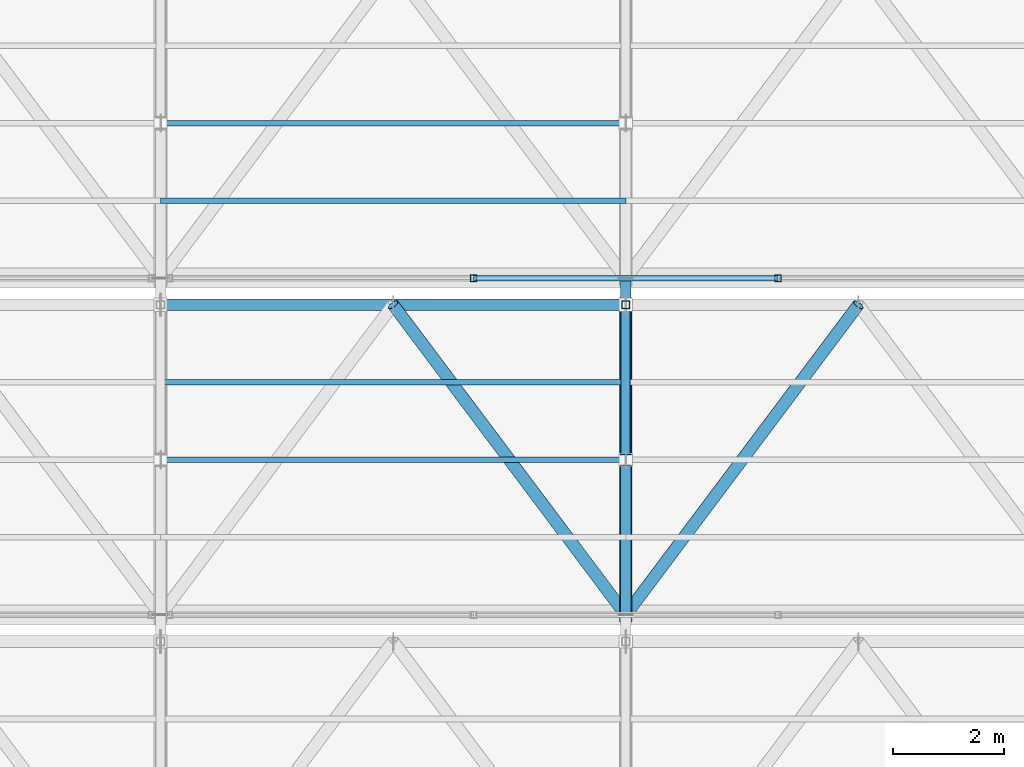
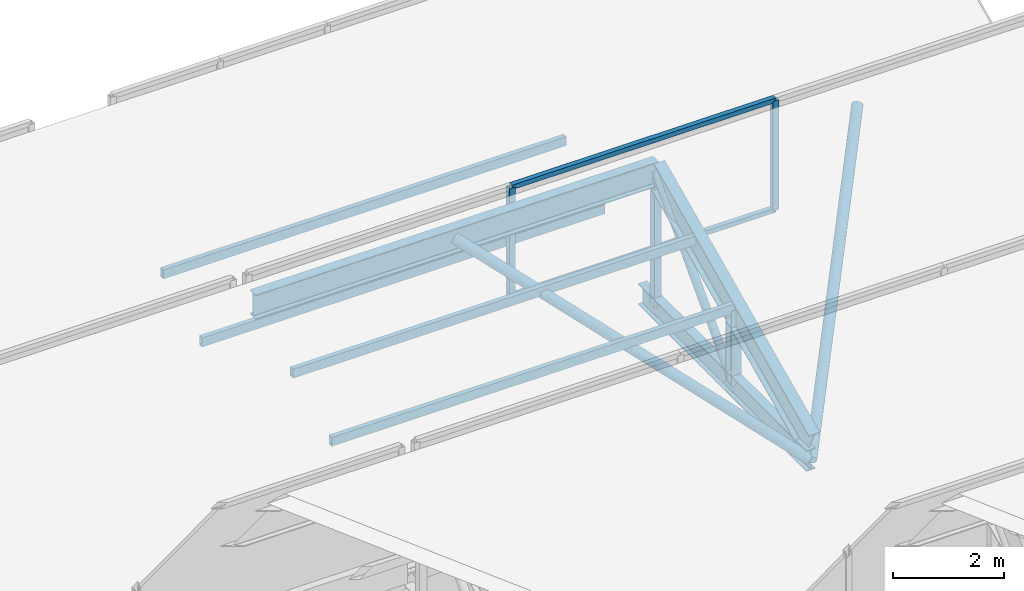
# One storey, part 127 of 217: 16 members, 1 element without a shape of its own.
"""IFC4 building model written with IfcOpenShell, lengths in metres."""

from ifc_helpers import new_model, si_unit, direction, frame, origin, origin_2d, place, context, subcontext, project, spatial, hollow_rectangle, hollow_circle, i_section, extrude, material, material_profile, profile_set, type_object, element, aggregate, save


model = new_model("IFC4")

# Units and contexts
model_context = context("Model", 3, precision=1e-05, world=origin(), true_north=direction((0.0, 1.0)))
body_context = subcontext(model_context, "Body", "Model", "MODEL_VIEW")
ifc_project = project(units=[si_unit("LENGTHUNIT", "METRE"), si_unit("AREAUNIT", "SQUARE_METRE"), si_unit("VOLUMEUNIT", "CUBIC_METRE"), si_unit("PLANEANGLEUNIT", "RADIAN"), si_unit("MASSUNIT", "GRAM", prefix="KILO")], contexts=[model_context])

# Site, building, storey
site_placement = place(None, origin())
site = spatial("IfcSite", under=ifc_project, at=site_placement, CompositionType="ELEMENT")
building_placement = place(site_placement, origin())
building = spatial("IfcBuilding", under=site, at=building_placement, Name="Zuvorla Pavilion Media Centre", CompositionType="ELEMENT")
storey_placement = place(building_placement, frame((0.0, 0.0, 9.60009765625)))
storey = spatial("IfcBuildingStorey", under=building, at=storey_placement, Name="L02", CompositionType="ELEMENT", Elevation=9.60009765625)

# Curtain wall, members
ifc_material_1 = material(Name="Unitised anodised aluminium and solar glass curtain wall", Category="aluminium")
curtain_wall_type = type_object("IfcCurtainWallType", Name="CW-SYS-88", PredefinedType="USERDEFINED", material=ifc_material_1)
curtain_wall_placement = place(storey_placement, origin())
curtain_wall = element("IfcCurtainWall", 1, at=curtain_wall_placement, inside=storey, type_object=curtain_wall_type, Name="L02 curtain wall CW88 215", ObjectType="CURTAIN WALL", PredefinedType="USERDEFINED")
ifc_material_2 = material(Name="Anodised aluminium 6063-T6", Category="aluminium")
ifc_material_profile_1 = material_profile(ifc_material_2, hollow_rectangle(XDim=0.1201171875, YDim=0.1201171875, WallThickness=0.0048828125, at=origin_2d()), Name="ALU MULL 120x120")
ifc_profile_set_1 = profile_set([ifc_material_profile_1], Name="Anodised aluminium 6063-T6")
member_type_1 = type_object("IfcMemberType", Name="CW-MULL-120", PredefinedType="MULLION", material=ifc_profile_set_1)
member_1_placement = place(storey_placement, frame((122.853271484375, 113.919921875, 0.0), z_axis=(0.0, 0.0, 1.0), x_axis=(1.0, 0.0, 0.0)))
member_1 = element("IfcMember", 2, at=member_1_placement, type_object=member_type_1, Name="CW88 mullion 2", PredefinedType="MULLION", context=body_context, shape_type="SweptSolid", body=[
    extrude(hollow_rectangle(XDim=0.1201171875, YDim=0.1201171875, WallThickness=0.0048828125, at=origin_2d()), origin(), (0.0, 0.0, 1.0), 2.419921875),
])
member_2_placement = place(storey_placement, frame((128.3466796875, 113.919921875, 0.0), z_axis=(0.0, 0.0, 1.0), x_axis=(1.0, 0.0, 0.0)))
member_2 = element("IfcMember", 3, at=member_2_placement, type_object=member_type_1, Name="CW88 mullion 3", PredefinedType="MULLION", context=body_context, shape_type="SweptSolid", body=[
    extrude(hollow_rectangle(XDim=0.1201171875, YDim=0.1201171875, WallThickness=0.0048828125, at=origin_2d()), origin(), (0.0, 0.0, 1.0), 2.419921875),
])
ifc_material_profile_2 = material_profile(ifc_material_2, hollow_rectangle(XDim=0.10009765625, YDim=0.10009765625, WallThickness=0.00439453125, at=origin_2d()), Name="ALU TRAN 100x100")
ifc_profile_set_2 = profile_set([ifc_material_profile_2], Name="Anodised aluminium 6063-T6")
member_type_2 = type_object("IfcMemberType", Name="CW-TRAN-100", PredefinedType="USERDEFINED", material=ifc_profile_set_2)
member_3_placement = place(storey_placement, frame((122.853271484375, 113.919921875, 0.0), z_axis=(1.0, 0.0, 0.0), x_axis=(0.0, 1.0, 0.0)))
member_3 = element("IfcMember", 4, at=member_3_placement, type_object=member_type_2, Name="CW88 transom 2.1", ObjectType="TRANSOM", PredefinedType="USERDEFINED", context=body_context, shape_type="SweptSolid", body=[
    extrude(hollow_rectangle(XDim=0.10009765625, YDim=0.10009765625, WallThickness=0.00439453125, at=origin_2d()), origin(), (0.0, 0.0, 1.0), 5.493408203125),
])
member_4_placement = place(storey_placement, frame((122.853271484375, 113.919921875, 2.419921875), z_axis=(1.0, 0.0, 0.0), x_axis=(0.0, 1.0, 0.0)))
member_4 = element("IfcMember", 5, at=member_4_placement, type_object=member_type_2, Name="CW88 transom 2.2", ObjectType="TRANSOM", PredefinedType="USERDEFINED", context=body_context, shape_type="SweptSolid", body=[
    extrude(hollow_rectangle(XDim=0.10009765625, YDim=0.10009765625, WallThickness=0.00439453125, at=origin_2d()), origin(), (0.0, 0.0, 1.0), 5.493408203125),
])
aggregate(curtain_wall, [member_1, member_2, member_3, member_4])

# Members
ifc_material_3 = material(Name="Steel S355", Category="steel")
ifc_material_profile_3 = material_profile(ifc_material_3, hollow_circle(Radius=0.084228515625, WallThickness=0.008056640625, at=origin_2d()), Name="CHS 168.3x8")
ifc_profile_set_3 = profile_set([ifc_material_profile_3], Name="Steel S355")
member_type_3 = type_object("IfcMemberType", Name="MEM-BRC-CHS168", PredefinedType="BRACE", material=ifc_profile_set_3)
member_5_placement = place(storey_placement, frame((125.60009765625, 110.639892578125, -0.880126953125), z_axis=(0.0, 0.68676242614, 0.726881950555), x_axis=(-1.0, 0.0, 0.0)))
element("IfcMember", 6, at=member_5_placement, inside=storey, type_object=member_type_3, Name="L02 diagonal brace TB03 350", PredefinedType="BRACE", context=body_context, shape_type="SweptSolid", body=[
    extrude(hollow_circle(Radius=0.084228515625, WallThickness=0.008056640625, at=origin_2d()), origin(), (0.0, 0.0, 1.0), 4.0771484375),
])
ifc_material_profile_4 = material_profile(ifc_material_3, hollow_circle(Radius=0.109619140625, WallThickness=0.010009765625, at=origin_2d()), Name="CHS 219.1x10")
ifc_profile_set_4 = profile_set([ifc_material_profile_4], Name="Steel S355")
member_type_4 = type_object("IfcMemberType", Name="MEM-BRC-CHS219", PredefinedType="BRACE", material=ifc_profile_set_4)
member_6_placement = place(storey_placement, frame((121.39990234375, 113.43994140625, 2.08349609375), z_axis=(0.552546982264, -0.73667578076, -0.389872577174), x_axis=(0.799979073174, 0.600027901421, 0.0)))
element("IfcMember", 7, at=member_6_placement, inside=storey, type_object=member_type_4, Name="L02 diagonal brace TB02 395", PredefinedType="BRACE", context=body_context, shape_type="SweptSolid", body=[
    extrude(hollow_circle(Radius=0.109619140625, WallThickness=0.010009765625, at=origin_2d()), origin(), (0.0, 0.0, 1.0), 7.6015625),
])
member_7_placement = place(storey_placement, frame((125.60009765625, 107.840087890625, -0.880126953125), z_axis=(0.552524670006, 0.736688854033, 0.389879495972), x_axis=(-0.799995814625, 0.600005580459, 0.0)))
element("IfcMember", 8, at=member_7_placement, inside=storey, type_object=member_type_4, Name="L02 diagonal brace TB02 400", PredefinedType="BRACE", context=body_context, shape_type="SweptSolid", body=[
    extrude(hollow_circle(Radius=0.109619140625, WallThickness=0.010009765625, at=origin_2d()), origin(), (0.0, 0.0, 1.0), 7.601318359375),
])
ifc_material_profile_5 = material_profile(ifc_material_3, i_section(OverallWidth=0.19140625, OverallDepth=0.4599609375, WebThickness=0.010009765625, FlangeThickness=0.01611328125, FilletRadius=0.01025390625, at=origin_2d()), Name="UB 457x191x82")
ifc_profile_set_5 = profile_set([ifc_material_profile_5], Name="Steel S355")
member_type_5 = type_object("IfcMemberType", Name="MEM-CHD-UB457", PredefinedType="CHORD", material=ifc_profile_set_5)
member_8_placement = place(storey_placement, frame((125.60009765625, 107.840087890625, -0.880126953125), z_axis=(0.0, 1.0, 0.0), x_axis=(-1.0, 0.0, 0.0)))
element("IfcMember", 9, at=member_8_placement, inside=storey, type_object=member_type_5, Name="L02 chord TC03 347", PredefinedType="CHORD", context=body_context, shape_type="SweptSolid", body=[
    extrude(i_section(OverallWidth=0.19140625, OverallDepth=0.4599609375, WebThickness=0.010009765625, FlangeThickness=0.01611328125, FilletRadius=0.01025390625, at=origin_2d()), origin(), (0.0, 0.0, 1.0), 6.079833984375),
])
ifc_material_profile_6 = material_profile(ifc_material_3, i_section(OverallWidth=0.2099609375, OverallDepth=0.53662109375, WebThickness=0.0107421875, FlangeThickness=0.017333984375, FilletRadius=0.0126953125, at=origin_2d()), Name="UB 533x210x101")
ifc_profile_set_6 = profile_set([ifc_material_profile_6], Name="Steel S355")
member_type_6 = type_object("IfcMemberType", Name="MEM-CHD-UB533", PredefinedType="CHORD", material=ifc_profile_set_6)
member_9_placement = place(storey_placement, frame((117.199951171875, 113.43994140625, 2.08349609375), z_axis=(1.0, 0.0, 0.0), x_axis=(0.0, 1.0, 0.0)))
element("IfcMember", 10, at=member_9_placement, inside=storey, type_object=member_type_6, Name="L02 chord TC02 393", PredefinedType="CHORD", context=body_context, shape_type="SweptSolid", body=[
    extrude(i_section(OverallWidth=0.2099609375, OverallDepth=0.53662109375, WebThickness=0.0107421875, FlangeThickness=0.017333984375, FilletRadius=0.0126953125, at=origin_2d()), origin(), (0.0, 0.0, 1.0), 8.400146484375),
])
ifc_material_profile_7 = material_profile(ifc_material_3, i_section(OverallWidth=0.22900390625, OverallDepth=0.6123046875, WebThickness=0.011962890625, FlangeThickness=0.01953125, FilletRadius=0.0126953125, at=origin_2d()), Name="UB 610x229x125")
ifc_profile_set_7 = profile_set([ifc_material_profile_7], Name="Steel S355")
member_type_7 = type_object("IfcMemberType", Name="MEM-CHD-UB610", PredefinedType="CHORD", material=ifc_profile_set_7)
member_10_placement = place(storey_placement, frame((125.60009765625, 107.840087890625, -0.5166015625), z_axis=(0.0, 0.906998718654, 0.421133380724), x_axis=(-1.0, 0.0, 0.0)))
element("IfcMember", 11, at=member_10_placement, inside=storey, type_object=member_type_7, Name="L02 chord TC01 348", PredefinedType="CHORD", context=body_context, shape_type="SweptSolid", body=[
    extrude(i_section(OverallWidth=0.22900390625, OverallDepth=0.6123046875, WebThickness=0.011962890625, FlangeThickness=0.01953125, FilletRadius=0.0126953125, at=origin_2d()), origin(), (0.0, 0.0, 1.0), 6.174072265625),
])
ifc_material_profile_8 = material_profile(ifc_material_3, hollow_rectangle(XDim=0.10009765625, YDim=0.199951171875, WallThickness=0.008056640625, at=origin_2d()), Name="RHS 200x100x8")
ifc_profile_set_8 = profile_set([ifc_material_profile_8], Name="Steel S355")
member_type_8 = type_object("IfcMemberType", Name="MEM-PUR-RHS200", PredefinedType="PURLIN", material=ifc_profile_set_8)
for number, where, z_axis, x_axis, name in (
    (12, (117.199951171875, 110.639892578125, 0.783447265625), (1.0, 0.0, 0.0), (0.0, 1.0, 0.0), "L02 purlin PR01 397"),
    (13, (117.199951171875, 112.0400390625, 1.43359375), (1.0, 0.0, 0.0), (0.0, 1.0, 0.0), "L02 purlin PR01 398"),
    (14, (117.199951171875, 115.320068359375, 0.133544921875), (1.0, 0.0, 0.0), (0.0, 1.0, 0.0), "L02 purlin PR01 489"),
    (15, (117.199951171875, 116.719970703125, 0.783447265625), (1.0, 0.0, 0.0), (0.0, 1.0, 0.0), "L02 purlin PR01 490"),
):
    element("IfcMember", number, at=place(storey_placement, frame(where, z_axis=z_axis, x_axis=x_axis)), inside=storey, type_object=member_type_8, Name=name, PredefinedType="PURLIN", context=body_context, shape_type="SweptSolid", body=[
        extrude(hollow_rectangle(XDim=0.10009765625, YDim=0.199951171875, WallThickness=0.008056640625, at=origin_2d()), origin(), (0.0, 0.0, 1.0), 8.400146484375),
    ])
ifc_material_profile_9 = material_profile(ifc_material_3, hollow_rectangle(XDim=0.14990234375, YDim=0.14990234375, WallThickness=0.008056640625, at=origin_2d()), Name="SHS 150x150x8")
ifc_profile_set_9 = profile_set([ifc_material_profile_9], Name="Steel S355")
member_type_9 = type_object("IfcMemberType", Name="MEM-STR-SHS150", PredefinedType="STRUT", material=ifc_profile_set_9)
member_11_placement = place(storey_placement, frame((125.60009765625, 113.43994140625, -0.880126953125), z_axis=(0.0, 0.0, 1.0), x_axis=(1.0, 0.0, 0.0)))
element("IfcMember", 16, at=member_11_placement, inside=storey, type_object=member_type_9, Name="L02 vertical strut TS01 349", PredefinedType="STRUT", context=body_context, shape_type="SweptSolid", body=[
    extrude(hollow_rectangle(XDim=0.14990234375, YDim=0.14990234375, WallThickness=0.008056640625, at=origin_2d()), origin(), (0.0, 0.0, 1.0), 2.963623046875),
])
ifc_material_profile_10 = material_profile(ifc_material_3, i_section(OverallWidth=0.205810546875, OverallDepth=0.209716796875, WebThickness=0.009521484375, FlangeThickness=0.01416015625, FilletRadius=0.01025390625, at=origin_2d()), Name="UC 203x203x60")
ifc_profile_set_10 = profile_set([ifc_material_profile_10], Name="Steel S355")
member_type_10 = type_object("IfcMemberType", Name="MEM-STR-UC203", PredefinedType="STRUT", material=ifc_profile_set_10)
member_12_placement = place(storey_placement, frame((125.60009765625, 110.639892578125, -0.880126953125), z_axis=(0.0, 0.0, 1.0), x_axis=(1.0, 0.0, 0.0)))
element("IfcMember", 17, at=member_12_placement, inside=storey, type_object=member_type_10, Name="L02 vertical strut TS02 351", PredefinedType="STRUT", context=body_context, shape_type="SweptSolid", body=[
    extrude(i_section(OverallWidth=0.205810546875, OverallDepth=0.209716796875, WebThickness=0.009521484375, FlangeThickness=0.01416015625, FilletRadius=0.01025390625, at=origin_2d()), origin(), (0.0, 0.0, 1.0), 1.66357421875),
])

save(model, "model.ifc")
